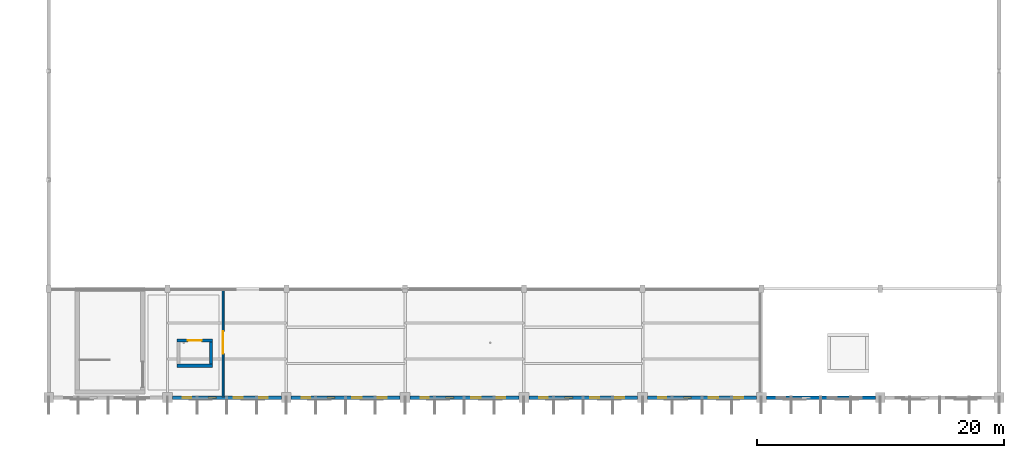
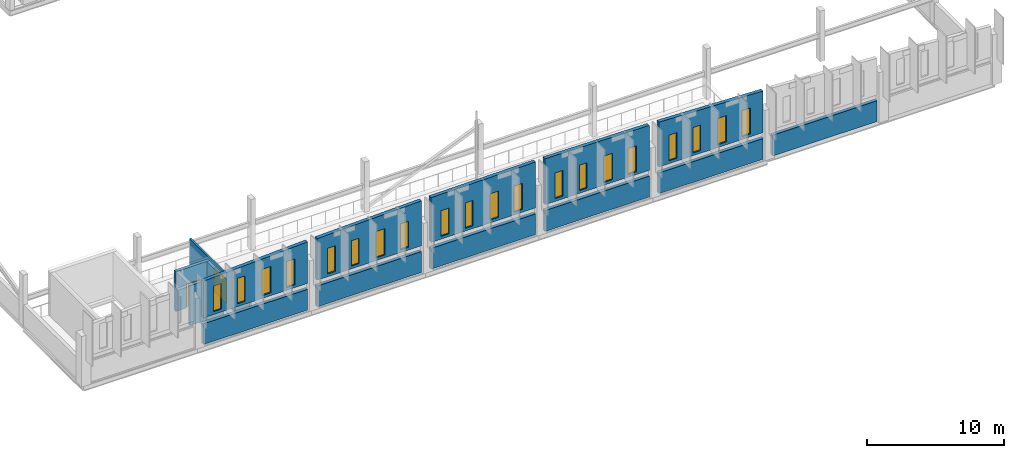
# One storey, part 92 of 114: 20 windows, 15 walls, 2 doors, 22 openings.
"""IFC4 building model written with IfcOpenShell, lengths in metres."""

from ifc_helpers import new_model, si_unit, direction, frame, frame_2d, origin, place, context, subcontext, project, spatial, polyline, rectangle, outline, extrude, material, layer, layer_set, type_object, element, fill, save


model = new_model("IFC4")

# Units and contexts
model_context = context("Model", 3, precision=1e-05, world=origin(), true_north=direction((0.0, 1.0)))
body_context = subcontext(model_context, "Body", "Model", "MODEL_VIEW")
ifc_project = project(units=[si_unit("LENGTHUNIT", "METRE"), si_unit("AREAUNIT", "SQUARE_METRE"), si_unit("VOLUMEUNIT", "CUBIC_METRE"), si_unit("PLANEANGLEUNIT", "RADIAN"), si_unit("MASSUNIT", "GRAM", prefix="KILO")], contexts=[model_context])

# Site, building, storey
site_placement = place(None, origin())
site = spatial("IfcSite", under=ifc_project, at=site_placement, CompositionType="ELEMENT")
building_placement = place(site_placement, origin())
building = spatial("IfcBuilding", under=site, at=building_placement, Name="Chalmorin Arch Market", CompositionType="ELEMENT")
storey_placement = place(building_placement, frame((0.0, 0.0, 9.60009765625)))
storey = spatial("IfcBuildingStorey", under=building, at=storey_placement, Name="L02", CompositionType="ELEMENT", Elevation=9.60009765625)

# Wall, opening, door
ifc_material_1 = material(Name="Gypsum Board Partition")
ifc_layer_1 = layer(ifc_material_1, 0.159912109375)
ifc_layer_set_1 = layer_set([ifc_layer_1], Name="Gypsum Board Partition")
wall_type_1 = type_object("IfcWallType", Name="CorridorRatedPartition-160", PredefinedType="PARTITIONING", material=ifc_layer_set_1)
wall_1_placement = place(storey_placement, frame((62.10009765625, 6.050048828125, 0.0), z_axis=(0.0, 0.0, 1.0), x_axis=(0.0, 1.0, 0.0)))
wall_1 = element("IfcWall", 1, at=wall_1_placement, inside=storey, type_object=wall_type_1, Name="CRP-160-535", PredefinedType="PARTITIONING", context=body_context, shape_type="SweptSolid", body=[
    extrude(rectangle(XDim=8.800048828125, YDim=0.159912109375, at=frame_2d((4.39990234375, 0.0))), origin(), (0.0, 0.0, 1.0), 2.599853515625),
])
opening_1_placement = place(wall_1_placement, frame((3.5, 0.0, 0.0)))
opening_1 = element("IfcOpeningElement", 2, at=opening_1_placement, cuts=wall_1, Name="Opening ID-173", PredefinedType="OPENING", context=body_context, shape_type="SweptSolid", body=[
    extrude(rectangle(XDim=1.800048828125, YDim=2.14990234375, at=frame_2d((0.89990234375, 1.074951171875))), frame((0.0, 0.08984375, 0.0), z_axis=(0.0, -1.0, 0.0), x_axis=(1.0, 0.0, 0.0)), (0.0, 0.0, 1.0), 0.179931640625),
])
ifc_material_2 = material(Name="Galvanised Steel", Category="steel")
door_type_1 = type_object("IfcDoorType", Name="CorridorFireDoubleDoor-1800x2150", OperationType="DOUBLE_DOOR_SINGLE_SWING", PredefinedType="DOOR", material=ifc_material_2)
door_1_placement = place(opening_1_placement, origin())
door_1 = element("IfcDoor", 3, at=door_1_placement, inside=storey, type_object=door_type_1, Name="ID-173", OperationType="DOUBLE_DOOR_SINGLE_SWING", OverallHeight=2.14990234375, OverallWidth=1.800048828125, PredefinedType="DOOR", context=body_context, shape_type="SweptSolid", body=[
    extrude(rectangle(XDim=1.800048828125, YDim=2.14990234375, at=frame_2d((0.89990234375, 1.074951171875))), frame((0.0, 0.02490234375, 0.0), z_axis=(0.0, -1.0, 0.0), x_axis=(1.0, 0.0, 0.0)), (0.0, 0.0, 1.0), 0.050048828125),
])
fill(opening_1, door_1)

# Wall
ifc_material_3 = material(Name="Concrete C30/37", Category="concrete")
ifc_layer_2 = layer(ifc_material_3, 0.300048828125)
ifc_layer_set_2 = layer_set([ifc_layer_2], Name="Concrete C30/37")
wall_type_2 = type_object("IfcWallType", Name="ExteriorBackupWall-300", PredefinedType="STANDARD", material=ifc_layer_set_2)
wall_2_placement = place(storey_placement, frame((58.0, 6.0, 0.0), z_axis=(0.0, 0.0, 1.0), x_axis=(1.0, 0.0, 0.0)))
element("IfcWall", 4, at=wall_2_placement, inside=storey, type_object=wall_type_2, Name="EBW-300-079", PredefinedType="STANDARD", context=body_context, shape_type="SweptSolid", body=[
    extrude(rectangle(XDim=8.800048828125, YDim=0.300048828125, at=frame_2d((4.39990234375, 0.0))), origin(), (0.0, 0.0, 1.0), 1.849853515625),
])

# Wall, openings, windows
wall_3_placement = place(storey_placement, frame((58.0, 6.0, 2.3798828125), z_axis=(0.0, 0.0, 1.0), x_axis=(1.0, 0.0, 0.0)))
wall_3 = element("IfcWall", 5, at=wall_3_placement, inside=storey, type_object=wall_type_2, Name="EBW-300-080", PredefinedType="STANDARD", context=body_context, shape_type="SweptSolid", body=[
    extrude(outline(polyline([(0.0, 0.0), (8.800048828125, 0.0), (8.800048828125, 3.70458984375), (0.0, 3.2666015625), (0.0, 0.0)])), frame((0.0, 0.14990234375, 0.0), z_axis=(0.0, -1.0, 0.0), x_axis=(1.0, 0.0, 0.0)), (0.0, 0.0, 1.0), 0.300048828125),
])
opening_2_placement = place(wall_3_placement, frame((0.85009765625, 0.0, 0.25)))
opening_2 = element("IfcOpeningElement", 6, at=opening_2_placement, cuts=wall_3, Name="Opening WN-010", PredefinedType="OPENING", context=body_context, shape_type="SweptSolid", body=[
    extrude(rectangle(XDim=0.669921875, YDim=2.2900390625, at=frame_2d((0.3349609375, 1.14501953125))), frame((0.0, 0.159912109375, 0.0), z_axis=(0.0, -1.0, 0.0), x_axis=(1.0, 0.0, 0.0)), (0.0, 0.0, 1.0), 0.320068359375),
])
opening_3_placement = place(wall_3_placement, frame((2.89990234375, 0.0, 0.25)))
opening_3 = element("IfcOpeningElement", 7, at=opening_3_placement, cuts=wall_3, Name="Opening WN-011", PredefinedType="OPENING", context=body_context, shape_type="SweptSolid", body=[
    extrude(rectangle(XDim=0.6298828125, YDim=2.260009765625, at=frame_2d((0.31494140625, 1.1298828125))), frame((0.0, 0.159912109375, 0.0), z_axis=(0.0, -1.0, 0.0), x_axis=(1.0, 0.0, 0.0)), (0.0, 0.0, 1.0), 0.320068359375),
])
opening_4_placement = place(wall_3_placement, frame((4.949951171875, 0.0, 0.25)))
opening_4 = element("IfcOpeningElement", 8, at=opening_4_placement, cuts=wall_3, Name="Opening WN-012", PredefinedType="OPENING", context=body_context, shape_type="SweptSolid", body=[
    extrude(rectangle(XDim=0.75, YDim=2.35009765625, at=frame_2d((0.375, 1.175048828125))), frame((0.0, 0.159912109375, 0.0), z_axis=(0.0, -1.0, 0.0), x_axis=(1.0, 0.0, 0.0)), (0.0, 0.0, 1.0), 0.320068359375),
])
opening_5_placement = place(wall_3_placement, frame((7.0, 0.0, 0.25)))
opening_5 = element("IfcOpeningElement", 9, at=opening_5_placement, cuts=wall_3, Name="Opening WN-013", PredefinedType="OPENING", context=body_context, shape_type="SweptSolid", body=[
    extrude(rectangle(XDim=0.7099609375, YDim=2.320068359375, at=frame_2d((0.35498046875, 1.16015625))), frame((0.0, 0.159912109375, 0.0), z_axis=(0.0, -1.0, 0.0), x_axis=(1.0, 0.0, 0.0)), (0.0, 0.0, 1.0), 0.320068359375),
])
ifc_material_4 = material(Name="Low-E Tempered Glass", Category="glass")
window_type_1 = type_object("IfcWindowType", Name="ClerestoryLancetWindow-750x4000", PartitioningType="SINGLE_PANEL", PredefinedType="WINDOW", material=ifc_material_4)
window_1_placement = place(opening_4_placement, origin())
window_1 = element("IfcWindow", 10, at=window_1_placement, inside=storey, type_object=window_type_1, Name="WN-012", OverallHeight=2.35009765625, OverallWidth=0.75, PartitioningType="SINGLE_PANEL", PredefinedType="WINDOW", context=body_context, shape_type="SweptSolid", body=[
    extrude(rectangle(XDim=0.75, YDim=2.35009765625, at=frame_2d((0.375, 1.175048828125))), frame((0.0, 0.030029296875, 0.0), z_axis=(0.0, -1.0, 0.0), x_axis=(1.0, 0.0, 0.0)), (0.0, 0.0, 1.0), 0.06005859375),
])
fill(opening_4, window_1)
window_type_2 = type_object("IfcWindowType", Name="ClerestoryLancetWindow-750x4000-630x2260", PartitioningType="SINGLE_PANEL", PredefinedType="WINDOW", material=ifc_material_4)
window_2_placement = place(opening_3_placement, origin())
window_2 = element("IfcWindow", 11, at=window_2_placement, inside=storey, type_object=window_type_2, Name="WN-011", OverallHeight=2.260009765625, OverallWidth=0.6298828125, PartitioningType="SINGLE_PANEL", PredefinedType="WINDOW", context=body_context, shape_type="SweptSolid", body=[
    extrude(rectangle(XDim=0.6298828125, YDim=2.260009765625, at=frame_2d((0.31494140625, 1.1298828125))), frame((0.0, 0.030029296875, 0.0), z_axis=(0.0, -1.0, 0.0), x_axis=(1.0, 0.0, 0.0)), (0.0, 0.0, 1.0), 0.06005859375),
])
fill(opening_3, window_2)
window_type_3 = type_object("IfcWindowType", Name="ClerestoryLancetWindow-750x4000-670x2290", PartitioningType="SINGLE_PANEL", PredefinedType="WINDOW", material=ifc_material_4)
window_3_placement = place(opening_2_placement, origin())
window_3 = element("IfcWindow", 12, at=window_3_placement, inside=storey, type_object=window_type_3, Name="WN-010", OverallHeight=2.2900390625, OverallWidth=0.669921875, PartitioningType="SINGLE_PANEL", PredefinedType="WINDOW", context=body_context, shape_type="SweptSolid", body=[
    extrude(rectangle(XDim=0.669921875, YDim=2.2900390625, at=frame_2d((0.3349609375, 1.14501953125))), frame((0.0, 0.030029296875, 0.0), z_axis=(0.0, -1.0, 0.0), x_axis=(1.0, 0.0, 0.0)), (0.0, 0.0, 1.0), 0.06005859375),
])
fill(opening_2, window_3)
window_type_4 = type_object("IfcWindowType", Name="ClerestoryLancetWindow-750x4000-710x2320", PartitioningType="SINGLE_PANEL", PredefinedType="WINDOW", material=ifc_material_4)
window_4_placement = place(opening_5_placement, origin())
window_4 = element("IfcWindow", 13, at=window_4_placement, inside=storey, type_object=window_type_4, Name="WN-013", OverallHeight=2.320068359375, OverallWidth=0.7099609375, PartitioningType="SINGLE_PANEL", PredefinedType="WINDOW", context=body_context, shape_type="SweptSolid", body=[
    extrude(rectangle(XDim=0.7099609375, YDim=2.320068359375, at=frame_2d((0.35498046875, 1.16015625))), frame((0.0, 0.030029296875, 0.0), z_axis=(0.0, -1.0, 0.0), x_axis=(1.0, 0.0, 0.0)), (0.0, 0.0, 1.0), 0.06005859375),
])
fill(opening_5, window_4)

# Wall
wall_4_placement = place(storey_placement, frame((67.60009765625, 6.0, 0.0), z_axis=(0.0, 0.0, 1.0), x_axis=(1.0, 0.0, 0.0)))
element("IfcWall", 14, at=wall_4_placement, inside=storey, type_object=wall_type_2, Name="EBW-300-084", PredefinedType="STANDARD", context=body_context, shape_type="SweptSolid", body=[
    extrude(rectangle(XDim=8.7998046875, YDim=0.300048828125, at=frame_2d((4.39990234375, 0.0))), origin(), (0.0, 0.0, 1.0), 1.849853515625),
])

# Wall, openings, windows
wall_5_placement = place(storey_placement, frame((67.60009765625, 6.0, 2.3798828125), z_axis=(0.0, 0.0, 1.0), x_axis=(1.0, 0.0, 0.0)))
wall_5 = element("IfcWall", 15, at=wall_5_placement, inside=storey, type_object=wall_type_2, Name="EBW-300-085", PredefinedType="STANDARD", context=body_context, shape_type="SweptSolid", body=[
    extrude(outline(polyline([(0.0, 0.0), (8.7998046875, 0.0), (8.800048828125, 3.997314453125), (0.0, 3.70458984375), (0.0, 0.0)])), frame((0.0, 0.14990234375, 0.0), z_axis=(0.0, -1.0, 0.0), x_axis=(1.0, 0.0, 0.0)), (0.0, 0.0, 1.0), 0.300048828125),
])
opening_6_placement = place(wall_5_placement, frame((0.85009765625, 0.0, 0.25)))
opening_6 = element("IfcOpeningElement", 16, at=opening_6_placement, cuts=wall_5, Name="Opening WN-018", PredefinedType="OPENING", context=body_context, shape_type="SweptSolid", body=[
    extrude(rectangle(XDim=0.669921875, YDim=2.2900390625, at=frame_2d((0.3349609375, 1.14501953125))), frame((0.0, 0.159912109375, 0.0), z_axis=(0.0, -1.0, 0.0), x_axis=(1.0, 0.0, 0.0)), (0.0, 0.0, 1.0), 0.320068359375),
])
opening_7_placement = place(wall_5_placement, frame((2.89990234375, 0.0, 0.25)))
opening_7 = element("IfcOpeningElement", 17, at=opening_7_placement, cuts=wall_5, Name="Opening WN-019", PredefinedType="OPENING", context=body_context, shape_type="SweptSolid", body=[
    extrude(rectangle(XDim=0.6298828125, YDim=2.260009765625, at=frame_2d((0.31494140625, 1.1298828125))), frame((0.0, 0.159912109375, 0.0), z_axis=(0.0, -1.0, 0.0), x_axis=(1.0, 0.0, 0.0)), (0.0, 0.0, 1.0), 0.320068359375),
])
opening_8_placement = place(wall_5_placement, frame((4.949951171875, 0.0, 0.25)))
opening_8 = element("IfcOpeningElement", 18, at=opening_8_placement, cuts=wall_5, Name="Opening WN-020", PredefinedType="OPENING", context=body_context, shape_type="SweptSolid", body=[
    extrude(rectangle(XDim=0.75, YDim=2.35009765625, at=frame_2d((0.375, 1.175048828125))), frame((0.0, 0.159912109375, 0.0), z_axis=(0.0, -1.0, 0.0), x_axis=(1.0, 0.0, 0.0)), (0.0, 0.0, 1.0), 0.320068359375),
])
opening_9_placement = place(wall_5_placement, frame((7.0, 0.0, 0.25)))
opening_9 = element("IfcOpeningElement", 19, at=opening_9_placement, cuts=wall_5, Name="Opening WN-021", PredefinedType="OPENING", context=body_context, shape_type="SweptSolid", body=[
    extrude(rectangle(XDim=0.7099609375, YDim=2.320068359375, at=frame_2d((0.35498046875, 1.16015625))), frame((0.0, 0.159912109375, 0.0), z_axis=(0.0, -1.0, 0.0), x_axis=(1.0, 0.0, 0.0)), (0.0, 0.0, 1.0), 0.320068359375),
])
window_5_placement = place(opening_8_placement, origin())
window_5 = element("IfcWindow", 20, at=window_5_placement, inside=storey, type_object=window_type_1, Name="WN-020", OverallHeight=2.35009765625, OverallWidth=0.75, PartitioningType="SINGLE_PANEL", PredefinedType="WINDOW", context=body_context, shape_type="SweptSolid", body=[
    extrude(rectangle(XDim=0.75, YDim=2.35009765625, at=frame_2d((0.375, 1.175048828125))), frame((0.0, 0.030029296875, 0.0), z_axis=(0.0, -1.0, 0.0), x_axis=(1.0, 0.0, 0.0)), (0.0, 0.0, 1.0), 0.06005859375),
])
fill(opening_8, window_5)
window_6_placement = place(opening_7_placement, origin())
window_6 = element("IfcWindow", 21, at=window_6_placement, inside=storey, type_object=window_type_2, Name="WN-019", OverallHeight=2.260009765625, OverallWidth=0.6298828125, PartitioningType="SINGLE_PANEL", PredefinedType="WINDOW", context=body_context, shape_type="SweptSolid", body=[
    extrude(rectangle(XDim=0.6298828125, YDim=2.260009765625, at=frame_2d((0.31494140625, 1.1298828125))), frame((0.0, 0.030029296875, 0.0), z_axis=(0.0, -1.0, 0.0), x_axis=(1.0, 0.0, 0.0)), (0.0, 0.0, 1.0), 0.06005859375),
])
fill(opening_7, window_6)
window_7_placement = place(opening_6_placement, origin())
window_7 = element("IfcWindow", 22, at=window_7_placement, inside=storey, type_object=window_type_3, Name="WN-018", OverallHeight=2.2900390625, OverallWidth=0.669921875, PartitioningType="SINGLE_PANEL", PredefinedType="WINDOW", context=body_context, shape_type="SweptSolid", body=[
    extrude(rectangle(XDim=0.669921875, YDim=2.2900390625, at=frame_2d((0.3349609375, 1.14501953125))), frame((0.0, 0.030029296875, 0.0), z_axis=(0.0, -1.0, 0.0), x_axis=(1.0, 0.0, 0.0)), (0.0, 0.0, 1.0), 0.06005859375),
])
fill(opening_6, window_7)
window_8_placement = place(opening_9_placement, origin())
window_8 = element("IfcWindow", 23, at=window_8_placement, inside=storey, type_object=window_type_4, Name="WN-021", OverallHeight=2.320068359375, OverallWidth=0.7099609375, PartitioningType="SINGLE_PANEL", PredefinedType="WINDOW", context=body_context, shape_type="SweptSolid", body=[
    extrude(rectangle(XDim=0.7099609375, YDim=2.320068359375, at=frame_2d((0.35498046875, 1.16015625))), frame((0.0, 0.030029296875, 0.0), z_axis=(0.0, -1.0, 0.0), x_axis=(1.0, 0.0, 0.0)), (0.0, 0.0, 1.0), 0.06005859375),
])
fill(opening_9, window_8)

# Wall
wall_6_placement = place(storey_placement, frame((77.199951171875, 6.0, 0.0), z_axis=(0.0, 0.0, 1.0), x_axis=(1.0, 0.0, 0.0)))
element("IfcWall", 24, at=wall_6_placement, inside=storey, type_object=wall_type_2, Name="EBW-300-088", PredefinedType="STANDARD", context=body_context, shape_type="SweptSolid", body=[
    extrude(rectangle(XDim=8.800048828125, YDim=0.300048828125, at=frame_2d((4.39990234375, 0.0))), origin(), (0.0, 0.0, 1.0), 1.849853515625),
])

# Wall, openings, windows
wall_7_placement = place(storey_placement, frame((77.199951171875, 6.0, 2.3798828125), z_axis=(0.0, 0.0, 1.0), x_axis=(1.0, 0.0, 0.0)))
wall_7 = element("IfcWall", 25, at=wall_7_placement, inside=storey, type_object=wall_type_2, Name="EBW-300-089", PredefinedType="STANDARD", context=body_context, shape_type="SweptSolid", body=[
    extrude(outline(polyline([(0.0, 0.0), (8.800048828125, 0.0), (8.800048828125, 4.10009765625), (0.0, 3.997314453125), (0.0, 0.0)])), frame((0.0, 0.14990234375, 0.0), z_axis=(0.0, -1.0, 0.0), x_axis=(1.0, 0.0, 0.0)), (0.0, 0.0, 1.0), 0.300048828125),
])
opening_10_placement = place(wall_7_placement, frame((0.85009765625, 0.0, 0.25)))
opening_10 = element("IfcOpeningElement", 26, at=opening_10_placement, cuts=wall_7, Name="Opening WN-026", PredefinedType="OPENING", context=body_context, shape_type="SweptSolid", body=[
    extrude(rectangle(XDim=0.669921875, YDim=2.2900390625, at=frame_2d((0.3349609375, 1.14501953125))), frame((0.0, 0.159912109375, 0.0), z_axis=(0.0, -1.0, 0.0), x_axis=(1.0, 0.0, 0.0)), (0.0, 0.0, 1.0), 0.320068359375),
])
opening_11_placement = place(wall_7_placement, frame((2.89990234375, 0.0, 0.25)))
opening_11 = element("IfcOpeningElement", 27, at=opening_11_placement, cuts=wall_7, Name="Opening WN-027", PredefinedType="OPENING", context=body_context, shape_type="SweptSolid", body=[
    extrude(rectangle(XDim=0.6298828125, YDim=2.260009765625, at=frame_2d((0.31494140625, 1.1298828125))), frame((0.0, 0.159912109375, 0.0), z_axis=(0.0, -1.0, 0.0), x_axis=(1.0, 0.0, 0.0)), (0.0, 0.0, 1.0), 0.320068359375),
])
opening_12_placement = place(wall_7_placement, frame((4.949951171875, 0.0, 0.25)))
opening_12 = element("IfcOpeningElement", 28, at=opening_12_placement, cuts=wall_7, Name="Opening WN-028", PredefinedType="OPENING", context=body_context, shape_type="SweptSolid", body=[
    extrude(rectangle(XDim=0.75, YDim=2.35009765625, at=frame_2d((0.375, 1.175048828125))), frame((0.0, 0.159912109375, 0.0), z_axis=(0.0, -1.0, 0.0), x_axis=(1.0, 0.0, 0.0)), (0.0, 0.0, 1.0), 0.320068359375),
])
opening_13_placement = place(wall_7_placement, frame((7.0, 0.0, 0.25)))
opening_13 = element("IfcOpeningElement", 29, at=opening_13_placement, cuts=wall_7, Name="Opening WN-029", PredefinedType="OPENING", context=body_context, shape_type="SweptSolid", body=[
    extrude(rectangle(XDim=0.7099609375, YDim=2.320068359375, at=frame_2d((0.35498046875, 1.16015625))), frame((0.0, 0.159912109375, 0.0), z_axis=(0.0, -1.0, 0.0), x_axis=(1.0, 0.0, 0.0)), (0.0, 0.0, 1.0), 0.320068359375),
])
window_9_placement = place(opening_12_placement, origin())
window_9 = element("IfcWindow", 30, at=window_9_placement, inside=storey, type_object=window_type_1, Name="WN-028", OverallHeight=2.35009765625, OverallWidth=0.75, PartitioningType="SINGLE_PANEL", PredefinedType="WINDOW", context=body_context, shape_type="SweptSolid", body=[
    extrude(rectangle(XDim=0.75, YDim=2.35009765625, at=frame_2d((0.375, 1.175048828125))), frame((0.0, 0.030029296875, 0.0), z_axis=(0.0, -1.0, 0.0), x_axis=(1.0, 0.0, 0.0)), (0.0, 0.0, 1.0), 0.06005859375),
])
fill(opening_12, window_9)
window_10_placement = place(opening_11_placement, origin())
window_10 = element("IfcWindow", 31, at=window_10_placement, inside=storey, type_object=window_type_2, Name="WN-027", OverallHeight=2.260009765625, OverallWidth=0.6298828125, PartitioningType="SINGLE_PANEL", PredefinedType="WINDOW", context=body_context, shape_type="SweptSolid", body=[
    extrude(rectangle(XDim=0.6298828125, YDim=2.260009765625, at=frame_2d((0.31494140625, 1.1298828125))), frame((0.0, 0.030029296875, 0.0), z_axis=(0.0, -1.0, 0.0), x_axis=(1.0, 0.0, 0.0)), (0.0, 0.0, 1.0), 0.06005859375),
])
fill(opening_11, window_10)
window_11_placement = place(opening_10_placement, origin())
window_11 = element("IfcWindow", 32, at=window_11_placement, inside=storey, type_object=window_type_3, Name="WN-026", OverallHeight=2.2900390625, OverallWidth=0.669921875, PartitioningType="SINGLE_PANEL", PredefinedType="WINDOW", context=body_context, shape_type="SweptSolid", body=[
    extrude(rectangle(XDim=0.669921875, YDim=2.2900390625, at=frame_2d((0.3349609375, 1.14501953125))), frame((0.0, 0.030029296875, 0.0), z_axis=(0.0, -1.0, 0.0), x_axis=(1.0, 0.0, 0.0)), (0.0, 0.0, 1.0), 0.06005859375),
])
fill(opening_10, window_11)
window_12_placement = place(opening_13_placement, origin())
window_12 = element("IfcWindow", 33, at=window_12_placement, inside=storey, type_object=window_type_4, Name="WN-029", OverallHeight=2.320068359375, OverallWidth=0.7099609375, PartitioningType="SINGLE_PANEL", PredefinedType="WINDOW", context=body_context, shape_type="SweptSolid", body=[
    extrude(rectangle(XDim=0.7099609375, YDim=2.320068359375, at=frame_2d((0.35498046875, 1.16015625))), frame((0.0, 0.030029296875, 0.0), z_axis=(0.0, -1.0, 0.0), x_axis=(1.0, 0.0, 0.0)), (0.0, 0.0, 1.0), 0.06005859375),
])
fill(opening_13, window_12)

# Wall
wall_8_placement = place(storey_placement, frame((86.800048828125, 6.0, 0.0), z_axis=(0.0, 0.0, 1.0), x_axis=(1.0, 0.0, 0.0)))
element("IfcWall", 34, at=wall_8_placement, inside=storey, type_object=wall_type_2, Name="EBW-300-094", PredefinedType="STANDARD", context=body_context, shape_type="SweptSolid", body=[
    extrude(rectangle(XDim=8.800048828125, YDim=0.300048828125, at=frame_2d((4.39990234375, 0.0))), origin(), (0.0, 0.0, 1.0), 1.849853515625),
])

# Wall, openings, windows
wall_9_placement = place(storey_placement, frame((86.800048828125, 6.0, 2.3798828125), z_axis=(0.0, 0.0, 1.0), x_axis=(1.0, 0.0, 0.0)))
wall_9 = element("IfcWall", 35, at=wall_9_placement, inside=storey, type_object=wall_type_2, Name="EBW-300-095", PredefinedType="STANDARD", context=body_context, shape_type="SweptSolid", body=[
    extrude(outline(polyline([(0.0, 0.0), (8.800048828125, 0.0), (8.800048828125, 3.997314453125), (0.0, 4.10009765625), (0.0, 0.0)])), frame((0.0, 0.14990234375, 0.0), z_axis=(0.0, -1.0, 0.0), x_axis=(1.0, 0.0, 0.0)), (0.0, 0.0, 1.0), 0.300048828125),
])
opening_14_placement = place(wall_9_placement, frame((0.85009765625, 0.0, 0.25)))
opening_14 = element("IfcOpeningElement", 36, at=opening_14_placement, cuts=wall_9, Name="Opening WN-034", PredefinedType="OPENING", context=body_context, shape_type="SweptSolid", body=[
    extrude(rectangle(XDim=0.669921875, YDim=2.2900390625, at=frame_2d((0.3349609375, 1.14501953125))), frame((0.0, 0.159912109375, 0.0), z_axis=(0.0, -1.0, 0.0), x_axis=(1.0, 0.0, 0.0)), (0.0, 0.0, 1.0), 0.320068359375),
])
opening_15_placement = place(wall_9_placement, frame((2.89990234375, 0.0, 0.25)))
opening_15 = element("IfcOpeningElement", 37, at=opening_15_placement, cuts=wall_9, Name="Opening WN-035", PredefinedType="OPENING", context=body_context, shape_type="SweptSolid", body=[
    extrude(rectangle(XDim=0.6298828125, YDim=2.260009765625, at=frame_2d((0.31494140625, 1.1298828125))), frame((0.0, 0.159912109375, 0.0), z_axis=(0.0, -1.0, 0.0), x_axis=(1.0, 0.0, 0.0)), (0.0, 0.0, 1.0), 0.320068359375),
])
opening_16_placement = place(wall_9_placement, frame((4.949951171875, 0.0, 0.25)))
opening_16 = element("IfcOpeningElement", 38, at=opening_16_placement, cuts=wall_9, Name="Opening WN-036", PredefinedType="OPENING", context=body_context, shape_type="SweptSolid", body=[
    extrude(rectangle(XDim=0.75, YDim=2.35009765625, at=frame_2d((0.375, 1.175048828125))), frame((0.0, 0.159912109375, 0.0), z_axis=(0.0, -1.0, 0.0), x_axis=(1.0, 0.0, 0.0)), (0.0, 0.0, 1.0), 0.320068359375),
])
opening_17_placement = place(wall_9_placement, frame((7.0, 0.0, 0.25)))
opening_17 = element("IfcOpeningElement", 39, at=opening_17_placement, cuts=wall_9, Name="Opening WN-037", PredefinedType="OPENING", context=body_context, shape_type="SweptSolid", body=[
    extrude(rectangle(XDim=0.7099609375, YDim=2.320068359375, at=frame_2d((0.35498046875, 1.16015625))), frame((0.0, 0.159912109375, 0.0), z_axis=(0.0, -1.0, 0.0), x_axis=(1.0, 0.0, 0.0)), (0.0, 0.0, 1.0), 0.320068359375),
])
window_13_placement = place(opening_16_placement, origin())
window_13 = element("IfcWindow", 40, at=window_13_placement, inside=storey, type_object=window_type_1, Name="WN-036", OverallHeight=2.35009765625, OverallWidth=0.75, PartitioningType="SINGLE_PANEL", PredefinedType="WINDOW", context=body_context, shape_type="SweptSolid", body=[
    extrude(rectangle(XDim=0.75, YDim=2.35009765625, at=frame_2d((0.375, 1.175048828125))), frame((0.0, 0.030029296875, 0.0), z_axis=(0.0, -1.0, 0.0), x_axis=(1.0, 0.0, 0.0)), (0.0, 0.0, 1.0), 0.06005859375),
])
fill(opening_16, window_13)
window_14_placement = place(opening_15_placement, origin())
window_14 = element("IfcWindow", 41, at=window_14_placement, inside=storey, type_object=window_type_2, Name="WN-035", OverallHeight=2.260009765625, OverallWidth=0.6298828125, PartitioningType="SINGLE_PANEL", PredefinedType="WINDOW", context=body_context, shape_type="SweptSolid", body=[
    extrude(rectangle(XDim=0.6298828125, YDim=2.260009765625, at=frame_2d((0.31494140625, 1.1298828125))), frame((0.0, 0.030029296875, 0.0), z_axis=(0.0, -1.0, 0.0), x_axis=(1.0, 0.0, 0.0)), (0.0, 0.0, 1.0), 0.06005859375),
])
fill(opening_15, window_14)
window_15_placement = place(opening_14_placement, origin())
window_15 = element("IfcWindow", 42, at=window_15_placement, inside=storey, type_object=window_type_3, Name="WN-034", OverallHeight=2.2900390625, OverallWidth=0.669921875, PartitioningType="SINGLE_PANEL", PredefinedType="WINDOW", context=body_context, shape_type="SweptSolid", body=[
    extrude(rectangle(XDim=0.669921875, YDim=2.2900390625, at=frame_2d((0.3349609375, 1.14501953125))), frame((0.0, 0.030029296875, 0.0), z_axis=(0.0, -1.0, 0.0), x_axis=(1.0, 0.0, 0.0)), (0.0, 0.0, 1.0), 0.06005859375),
])
fill(opening_14, window_15)
window_16_placement = place(opening_17_placement, origin())
window_16 = element("IfcWindow", 43, at=window_16_placement, inside=storey, type_object=window_type_4, Name="WN-037", OverallHeight=2.320068359375, OverallWidth=0.7099609375, PartitioningType="SINGLE_PANEL", PredefinedType="WINDOW", context=body_context, shape_type="SweptSolid", body=[
    extrude(rectangle(XDim=0.7099609375, YDim=2.320068359375, at=frame_2d((0.35498046875, 1.16015625))), frame((0.0, 0.030029296875, 0.0), z_axis=(0.0, -1.0, 0.0), x_axis=(1.0, 0.0, 0.0)), (0.0, 0.0, 1.0), 0.06005859375),
])
fill(opening_17, window_16)

# Wall
wall_10_placement = place(storey_placement, frame((96.39990234375, 6.0, 0.0), z_axis=(0.0, 0.0, 1.0), x_axis=(1.0, 0.0, 0.0)))
element("IfcWall", 44, at=wall_10_placement, inside=storey, type_object=wall_type_2, Name="EBW-300-098", PredefinedType="STANDARD", context=body_context, shape_type="SweptSolid", body=[
    extrude(rectangle(XDim=8.800048828125, YDim=0.300048828125, at=frame_2d((4.39990234375, 0.0))), origin(), (0.0, 0.0, 1.0), 1.849853515625),
])

# Wall, openings, windows
wall_11_placement = place(storey_placement, frame((96.39990234375, 6.0, 2.3798828125), z_axis=(0.0, 0.0, 1.0), x_axis=(1.0, 0.0, 0.0)))
wall_11 = element("IfcWall", 45, at=wall_11_placement, inside=storey, type_object=wall_type_2, Name="EBW-300-099", PredefinedType="STANDARD", context=body_context, shape_type="SweptSolid", body=[
    extrude(outline(polyline([(0.0, 0.0), (8.800048828125, 0.0), (8.800048828125, 3.70458984375), (0.0, 3.997314453125), (0.0, 0.0)])), frame((0.0, 0.14990234375, 0.0), z_axis=(0.0, -1.0, 0.0), x_axis=(1.0, 0.0, 0.0)), (0.0, 0.0, 1.0), 0.300048828125),
])
opening_18_placement = place(wall_11_placement, frame((0.85009765625, 0.0, 0.25)))
opening_18 = element("IfcOpeningElement", 46, at=opening_18_placement, cuts=wall_11, Name="Opening WN-042", PredefinedType="OPENING", context=body_context, shape_type="SweptSolid", body=[
    extrude(rectangle(XDim=0.669921875, YDim=2.2900390625, at=frame_2d((0.3349609375, 1.14501953125))), frame((0.0, 0.159912109375, 0.0), z_axis=(0.0, -1.0, 0.0), x_axis=(1.0, 0.0, 0.0)), (0.0, 0.0, 1.0), 0.320068359375),
])
opening_19_placement = place(wall_11_placement, frame((2.89990234375, 0.0, 0.25)))
opening_19 = element("IfcOpeningElement", 47, at=opening_19_placement, cuts=wall_11, Name="Opening WN-043", PredefinedType="OPENING", context=body_context, shape_type="SweptSolid", body=[
    extrude(rectangle(XDim=0.6298828125, YDim=2.260009765625, at=frame_2d((0.31494140625, 1.1298828125))), frame((0.0, 0.159912109375, 0.0), z_axis=(0.0, -1.0, 0.0), x_axis=(1.0, 0.0, 0.0)), (0.0, 0.0, 1.0), 0.320068359375),
])
opening_20_placement = place(wall_11_placement, frame((4.949951171875, 0.0, 0.25)))
opening_20 = element("IfcOpeningElement", 48, at=opening_20_placement, cuts=wall_11, Name="Opening WN-044", PredefinedType="OPENING", context=body_context, shape_type="SweptSolid", body=[
    extrude(rectangle(XDim=0.75, YDim=2.35009765625, at=frame_2d((0.375, 1.175048828125))), frame((0.0, 0.159912109375, 0.0), z_axis=(0.0, -1.0, 0.0), x_axis=(1.0, 0.0, 0.0)), (0.0, 0.0, 1.0), 0.320068359375),
])
opening_21_placement = place(wall_11_placement, frame((7.0, 0.0, 0.25)))
opening_21 = element("IfcOpeningElement", 49, at=opening_21_placement, cuts=wall_11, Name="Opening WN-045", PredefinedType="OPENING", context=body_context, shape_type="SweptSolid", body=[
    extrude(rectangle(XDim=0.7099609375, YDim=2.320068359375, at=frame_2d((0.35498046875, 1.16015625))), frame((0.0, 0.159912109375, 0.0), z_axis=(0.0, -1.0, 0.0), x_axis=(1.0, 0.0, 0.0)), (0.0, 0.0, 1.0), 0.320068359375),
])
window_17_placement = place(opening_20_placement, origin())
window_17 = element("IfcWindow", 50, at=window_17_placement, inside=storey, type_object=window_type_1, Name="WN-044", OverallHeight=2.35009765625, OverallWidth=0.75, PartitioningType="SINGLE_PANEL", PredefinedType="WINDOW", context=body_context, shape_type="SweptSolid", body=[
    extrude(rectangle(XDim=0.75, YDim=2.35009765625, at=frame_2d((0.375, 1.175048828125))), frame((0.0, 0.030029296875, 0.0), z_axis=(0.0, -1.0, 0.0), x_axis=(1.0, 0.0, 0.0)), (0.0, 0.0, 1.0), 0.06005859375),
])
fill(opening_20, window_17)
window_18_placement = place(opening_19_placement, origin())
window_18 = element("IfcWindow", 51, at=window_18_placement, inside=storey, type_object=window_type_2, Name="WN-043", OverallHeight=2.260009765625, OverallWidth=0.6298828125, PartitioningType="SINGLE_PANEL", PredefinedType="WINDOW", context=body_context, shape_type="SweptSolid", body=[
    extrude(rectangle(XDim=0.6298828125, YDim=2.260009765625, at=frame_2d((0.31494140625, 1.1298828125))), frame((0.0, 0.030029296875, 0.0), z_axis=(0.0, -1.0, 0.0), x_axis=(1.0, 0.0, 0.0)), (0.0, 0.0, 1.0), 0.06005859375),
])
fill(opening_19, window_18)
window_19_placement = place(opening_18_placement, origin())
window_19 = element("IfcWindow", 52, at=window_19_placement, inside=storey, type_object=window_type_3, Name="WN-042", OverallHeight=2.2900390625, OverallWidth=0.669921875, PartitioningType="SINGLE_PANEL", PredefinedType="WINDOW", context=body_context, shape_type="SweptSolid", body=[
    extrude(rectangle(XDim=0.669921875, YDim=2.2900390625, at=frame_2d((0.3349609375, 1.14501953125))), frame((0.0, 0.030029296875, 0.0), z_axis=(0.0, -1.0, 0.0), x_axis=(1.0, 0.0, 0.0)), (0.0, 0.0, 1.0), 0.06005859375),
])
fill(opening_18, window_19)
window_20_placement = place(opening_21_placement, origin())
window_20 = element("IfcWindow", 53, at=window_20_placement, inside=storey, type_object=window_type_4, Name="WN-045", OverallHeight=2.320068359375, OverallWidth=0.7099609375, PartitioningType="SINGLE_PANEL", PredefinedType="WINDOW", context=body_context, shape_type="SweptSolid", body=[
    extrude(rectangle(XDim=0.7099609375, YDim=2.320068359375, at=frame_2d((0.35498046875, 1.16015625))), frame((0.0, 0.030029296875, 0.0), z_axis=(0.0, -1.0, 0.0), x_axis=(1.0, 0.0, 0.0)), (0.0, 0.0, 1.0), 0.06005859375),
])
fill(opening_21, window_20)

# Walls
wall_12_placement = place(storey_placement, frame((106.0, 6.0, 0.0), z_axis=(0.0, 0.0, 1.0), x_axis=(1.0, 0.0, 0.0)))
element("IfcWall", 54, at=wall_12_placement, inside=storey, type_object=wall_type_2, Name="EBW-300-103", PredefinedType="STANDARD", context=body_context, shape_type="SweptSolid", body=[
    extrude(rectangle(XDim=8.800048828125, YDim=0.300048828125, at=frame_2d((4.39990234375, 0.0))), origin(), (0.0, 0.0, 1.0), 1.849853515625),
])
ifc_material_5 = material(Name="Concrete C35/45", Category="concrete")
ifc_layer_3 = layer(ifc_material_5, 0.25)
ifc_layer_set_3 = layer_set([ifc_layer_3], Name="Concrete C35/45")
wall_type_3 = type_object("IfcWallType", Name="ShaftEnclosureWall-250", PredefinedType="SOLIDWALL", material=ifc_layer_set_3)
wall_13_placement = place(storey_placement, frame((61.22509765625, 8.574951171875, 0.0), z_axis=(0.0, 0.0, 1.0), x_axis=(-1.0, 0.0, 0.0)))
element("IfcWall", 55, at=wall_13_placement, inside=storey, type_object=wall_type_3, Name="SEW-250-242", PredefinedType="SOLIDWALL", context=body_context, shape_type="SweptSolid", body=[
    extrude(rectangle(XDim=2.85009765625, YDim=0.25, at=frame_2d((1.425048828125, 0.0))), origin(), (0.0, 0.0, 1.0), 3.5498046875),
])

# Wall, opening, door
wall_14_placement = place(storey_placement, frame((58.375, 10.625, 0.0), z_axis=(0.0, 0.0, 1.0), x_axis=(1.0, 0.0, 0.0)))
wall_14 = element("IfcWall", 56, at=wall_14_placement, inside=storey, type_object=wall_type_3, Name="SEW-250-243", PredefinedType="SOLIDWALL", context=body_context, shape_type="SweptSolid", body=[
    extrude(rectangle(XDim=2.85009765625, YDim=0.25, at=frame_2d((1.425048828125, 0.0))), origin(), (0.0, 0.0, 1.0), 3.5498046875),
])
opening_22_placement = place(wall_14_placement, frame((0.875, 0.0, 0.0)))
opening_22 = element("IfcOpeningElement", 57, at=opening_22_placement, cuts=wall_14, Name="Opening LD-LF-P2-L02", PredefinedType="OPENING", context=body_context, shape_type="SweptSolid", body=[
    extrude(rectangle(XDim=1.10009765625, YDim=2.14990234375, at=frame_2d((0.550048828125, 1.074951171875))), frame((0.0, 0.135009765625, 0.0), z_axis=(0.0, -1.0, 0.0), x_axis=(1.0, 0.0, 0.0)), (0.0, 0.0, 1.0), 0.27001953125),
])
ifc_material_6 = material(Name="Stainless Steel 316", Category="steel")
door_type_2 = type_object("IfcDoorType", Name="LiftLandingSlidingDoor-1100x2150", OperationType="DOUBLE_DOOR_SLIDING", PredefinedType="DOOR", material=ifc_material_6)
door_2_placement = place(opening_22_placement, origin())
door_2 = element("IfcDoor", 58, at=door_2_placement, inside=storey, type_object=door_type_2, Name="LD-LF-P2-L02", OperationType="DOUBLE_DOOR_SLIDING", OverallHeight=2.14990234375, OverallWidth=1.10009765625, PredefinedType="DOOR", context=body_context, shape_type="SweptSolid", body=[
    extrude(rectangle(XDim=1.10009765625, YDim=2.14990234375, at=frame_2d((0.550048828125, 1.074951171875))), frame((0.0, 0.02490234375, 0.0), z_axis=(0.0, -1.0, 0.0), x_axis=(1.0, 0.0, 0.0)), (0.0, 0.0, 1.0), 0.050048828125),
])
fill(opening_22, door_2)

# Wall
wall_15_placement = place(storey_placement, frame((61.10009765625, 10.5, 0.0), z_axis=(0.0, 0.0, 1.0), x_axis=(0.0, -1.0, 0.0)))
element("IfcWall", 59, at=wall_15_placement, inside=storey, type_object=wall_type_3, Name="SEW-250-245", PredefinedType="SOLIDWALL", context=body_context, shape_type="SweptSolid", body=[
    extrude(rectangle(XDim=1.800048828125, YDim=0.25, at=frame_2d((0.89990234375, 0.0))), origin(), (0.0, 0.0, 1.0), 3.5498046875),
])

save(model, "model.ifc")
